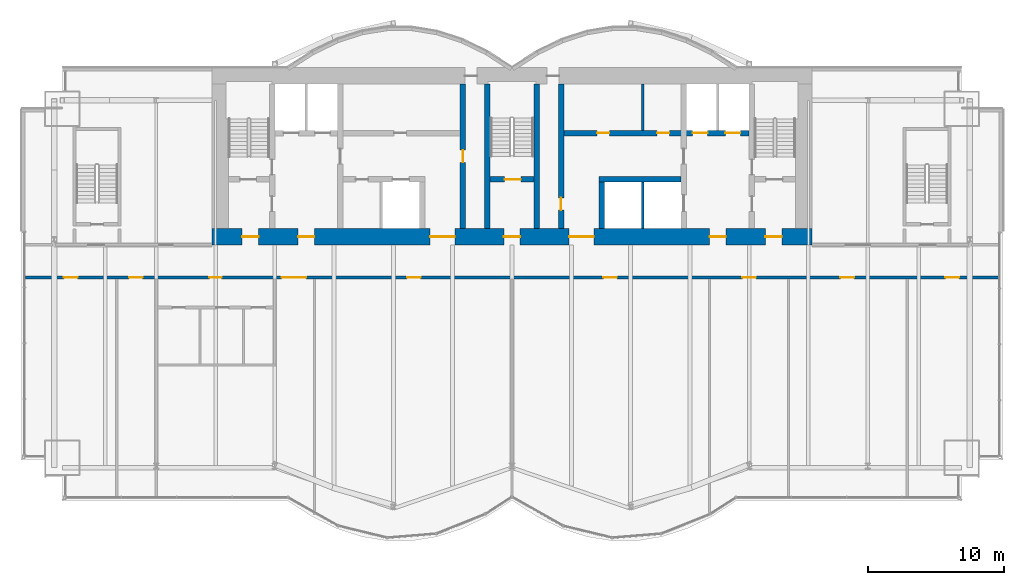
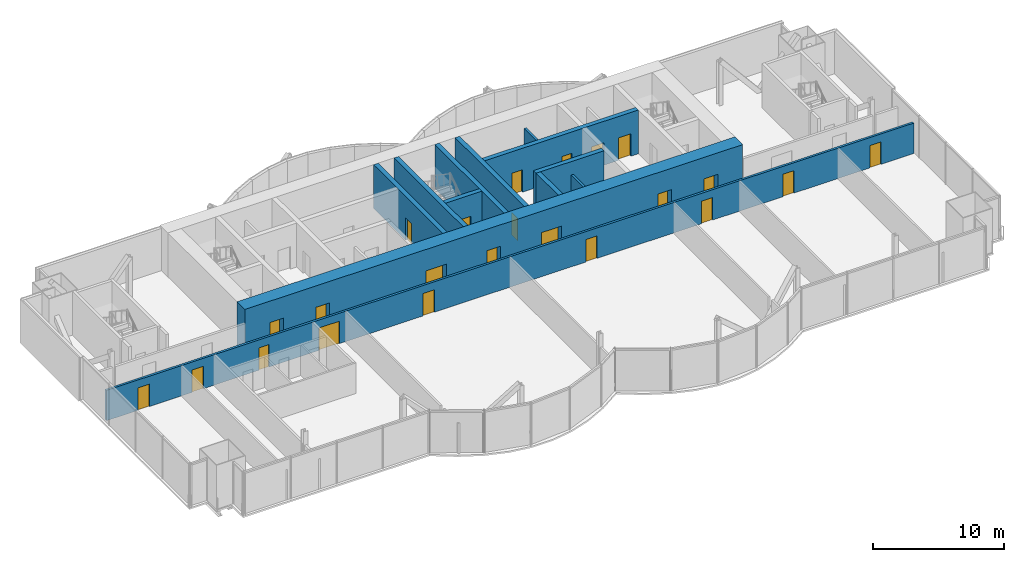
# One storey, part 15 of 20: 23 doors, 12 walls, 23 openings.
"""IFC4 building model written with IfcOpenShell, lengths in metres."""

from ifc_helpers import new_model, si_unit, direction, frame, frame_2d, origin, place, context, subcontext, project, spatial, rectangle, extrude, material, layer, layer_set, type_object, element, fill, save


model = new_model("IFC4")

# Units and contexts
model_context = context("Model", 3, precision=1e-05, world=origin(), true_north=direction((0.0, 1.0)))
body_context = subcontext(model_context, "Body", "Model", "MODEL_VIEW")
ifc_project = project(units=[si_unit("LENGTHUNIT", "METRE"), si_unit("AREAUNIT", "SQUARE_METRE"), si_unit("VOLUMEUNIT", "CUBIC_METRE"), si_unit("PLANEANGLEUNIT", "RADIAN"), si_unit("MASSUNIT", "GRAM", prefix="KILO")], contexts=[model_context])

# Site, building, storey
site_placement = place(None, origin())
site = spatial("IfcSite", under=ifc_project, at=site_placement, CompositionType="ELEMENT")
building_placement = place(site_placement, origin())
building = spatial("IfcBuilding", under=site, at=building_placement, Name="Bicima Exchange Tower", CompositionType="ELEMENT")
storey_placement = place(building_placement, frame((0.0, 0.0, 215.5)))
storey = spatial("IfcBuildingStorey", under=building, at=storey_placement, Name="L48", CompositionType="ELEMENT", Elevation=215.5)

# Wall
ifc_material_1 = material(Name="Gypsum board partition")
ifc_layer_1 = layer(ifc_material_1, 0.199951171875)
ifc_layer_set_1 = layer_set([ifc_layer_1], Name="Gypsum board partition")
wall_type_1 = type_object("IfcWallType", Name="Fire-rated gypsum partition 200 EI120", PredefinedType="PARTITIONING", material=ifc_layer_set_1)
wall_1_placement = place(storey_placement, frame((9.60009765625, -11.800048828125, 0.0), z_axis=(0.0, 0.0, 1.0), x_axis=(0.0, 1.0, 0.0)))
element("IfcWall", 1, at=wall_1_placement, inside=storey, type_object=wall_type_1, Name="partition wall 18", PredefinedType="PARTITIONING", context=body_context, shape_type="SweptSolid", body=[
    extrude(rectangle(XDim=3.400146484375, YDim=0.199951171875, at=frame_2d((1.7001953125, 0.0))), origin(), (0.0, 0.0, 1.0), 2.84033203125),
])

# Wall, openings, doors
ifc_layer_2 = layer(ifc_material_1, 0.199951171875)
ifc_layer_set_2 = layer_set([ifc_layer_2], Name="Gypsum board partition")
wall_type_2 = type_object("IfcWallType", Name="Fire-rated gypsum partition 200 EI60", PredefinedType="PARTITIONING", material=ifc_layer_set_2)
wall_2_placement = place(storey_placement, frame((-35.679931640625, -15.39990234375, 0.0), z_axis=(0.0, 0.0, 1.0), x_axis=(1.0, 0.0, 0.0)))
wall_2 = element("IfcWall", 2, at=wall_2_placement, inside=storey, type_object=wall_type_2, Name="partition wall 3", PredefinedType="PARTITIONING", context=body_context, shape_type="SweptSolid", body=[
    extrude(rectangle(XDim=71.35986328125, YDim=0.199951171875, at=frame_2d((35.679931640625, 0.0))), origin(), (0.0, 0.0, 1.0), 2.84033203125),
])
opening_1_placement = place(wall_2_placement, frame((2.800048828125, 0.0, 0.0)))
opening_1 = element("IfcOpeningElement", 3, at=opening_1_placement, cuts=wall_2, Name="Opening L48-007", PredefinedType="OPENING", context=body_context, shape_type="SweptSolid", body=[
    extrude(rectangle(XDim=1.0, YDim=2.10009765625, at=frame_2d((0.5, 1.050048828125))), frame((0.0, 0.11181640625, 0.0), z_axis=(0.0, -1.0, 0.0), x_axis=(1.0, 0.0, 0.0)), (0.0, 0.0, 1.0), 0.223876953125),
])
opening_2_placement = place(wall_2_placement, frame((7.580078125, 0.0, 0.0)))
opening_2 = element("IfcOpeningElement", 4, at=opening_2_placement, cuts=wall_2, Name="Opening L48-008", PredefinedType="OPENING", context=body_context, shape_type="SweptSolid", body=[
    extrude(rectangle(XDim=1.0, YDim=2.10009765625, at=frame_2d((0.5, 1.050048828125))), frame((0.0, 0.11181640625, 0.0), z_axis=(0.0, -1.0, 0.0), x_axis=(1.0, 0.0, 0.0)), (0.0, 0.0, 1.0), 0.223876953125),
])
opening_3_placement = place(wall_2_placement, frame((13.47998046875, 0.0, 0.0)))
opening_3 = element("IfcOpeningElement", 5, at=opening_3_placement, cuts=wall_2, Name="Opening L48-009", PredefinedType="OPENING", context=body_context, shape_type="SweptSolid", body=[
    extrude(rectangle(XDim=0.89990234375, YDim=2.10009765625, at=frame_2d((0.449951171875, 1.050048828125))), frame((0.0, 0.11181640625, 0.0), z_axis=(0.0, -1.0, 0.0), x_axis=(1.0, 0.0, 0.0)), (0.0, 0.0, 1.0), 0.223876953125),
])
opening_4_placement = place(wall_2_placement, frame((18.780029296875, 0.0, 0.0)))
opening_4 = element("IfcOpeningElement", 6, at=opening_4_placement, cuts=wall_2, Name="Opening L48-013", PredefinedType="OPENING", context=body_context, shape_type="SweptSolid", body=[
    extrude(rectangle(XDim=1.800048828125, YDim=2.10009765625, at=frame_2d((0.89990234375, 1.050048828125))), frame((0.0, 0.11181640625, 0.0), z_axis=(0.0, -1.0, 0.0), x_axis=(1.0, 0.0, 0.0)), (0.0, 0.0, 1.0), 0.223876953125),
])
opening_5_placement = place(wall_2_placement, frame((27.97998046875, 0.0, 0.0)))
opening_5 = element("IfcOpeningElement", 7, at=opening_5_placement, cuts=wall_2, Name="Opening L48-014", PredefinedType="OPENING", context=body_context, shape_type="SweptSolid", body=[
    extrude(rectangle(XDim=1.0, YDim=2.10009765625, at=frame_2d((0.5, 1.050048828125))), frame((0.0, 0.11181640625, 0.0), z_axis=(0.0, -1.0, 0.0), x_axis=(1.0, 0.0, 0.0)), (0.0, 0.0, 1.0), 0.223876953125),
])
opening_6_placement = place(wall_2_placement, frame((42.3798828125, 0.0, 0.0)))
opening_6 = element("IfcOpeningElement", 8, at=opening_6_placement, cuts=wall_2, Name="Opening L48-015", PredefinedType="OPENING", context=body_context, shape_type="SweptSolid", body=[
    extrude(rectangle(XDim=1.0, YDim=2.10009765625, at=frame_2d((0.5, 1.050048828125))), frame((0.0, 0.11181640625, 0.0), z_axis=(0.0, -1.0, 0.0), x_axis=(1.0, 0.0, 0.0)), (0.0, 0.0, 1.0), 0.223876953125),
])
opening_7_placement = place(wall_2_placement, frame((52.580078125, 0.0, 0.0)))
opening_7 = element("IfcOpeningElement", 9, at=opening_7_placement, cuts=wall_2, Name="Opening L48-016", PredefinedType="OPENING", context=body_context, shape_type="SweptSolid", body=[
    extrude(rectangle(XDim=1.0, YDim=2.10009765625, at=frame_2d((0.5, 1.050048828125))), frame((0.0, 0.11181640625, 0.0), z_axis=(0.0, -1.0, 0.0), x_axis=(1.0, 0.0, 0.0)), (0.0, 0.0, 1.0), 0.223876953125),
])
opening_8_placement = place(wall_2_placement, frame((59.780029296875, 0.0, 0.0)))
opening_8 = element("IfcOpeningElement", 10, at=opening_8_placement, cuts=wall_2, Name="Opening L48-017", PredefinedType="OPENING", context=body_context, shape_type="SweptSolid", body=[
    extrude(rectangle(XDim=1.0, YDim=2.10009765625, at=frame_2d((0.5, 1.050048828125))), frame((0.0, 0.11181640625, 0.0), z_axis=(0.0, -1.0, 0.0), x_axis=(1.0, 0.0, 0.0)), (0.0, 0.0, 1.0), 0.223876953125),
])
opening_9_placement = place(wall_2_placement, frame((67.47998046875, 0.0, 0.0)))
opening_9 = element("IfcOpeningElement", 11, at=opening_9_placement, cuts=wall_2, Name="Opening L48-018", PredefinedType="OPENING", context=body_context, shape_type="SweptSolid", body=[
    extrude(rectangle(XDim=1.0, YDim=2.10009765625, at=frame_2d((0.5, 1.050048828125))), frame((0.0, 0.11181640625, 0.0), z_axis=(0.0, -1.0, 0.0), x_axis=(1.0, 0.0, 0.0)), (0.0, 0.0, 1.0), 0.223876953125),
])
ifc_material_2 = material(Name="Steel fire door leaf", Category="steel")
door_type_1 = type_object("IfcDoorType", Name="Door 1000 swing FD30S", OperationType="SINGLE_SWING_LEFT", PredefinedType="DOOR", material=ifc_material_2)
door_1_placement = place(opening_1_placement, frame((1.0, 0.0, 0.0), z_axis=(0.0, 0.0, 1.0), x_axis=(-1.0, 0.0, 0.0)))
door_1 = element("IfcDoor", 12, at=door_1_placement, inside=storey, type_object=door_type_1, Name="Door", OperationType="SINGLE_SWING_LEFT", OverallHeight=2.10009765625, OverallWidth=1.0, PredefinedType="DOOR", context=body_context, shape_type="SweptSolid", body=[
    extrude(rectangle(XDim=1.0, YDim=2.10009765625, at=frame_2d((0.5, 1.050048828125))), frame((0.0, 0.02490234375, 0.0), z_axis=(0.0, -1.0, 0.0), x_axis=(1.0, 0.0, 0.0)), (0.0, 0.0, 1.0), 0.050048828125),
])
fill(opening_1, door_1)
door_2_placement = place(opening_2_placement, frame((1.0, 0.0, 0.0), z_axis=(0.0, 0.0, 1.0), x_axis=(-1.0, 0.0, 0.0)))
door_2 = element("IfcDoor", 13, at=door_2_placement, inside=storey, type_object=door_type_1, Name="Door", OperationType="SINGLE_SWING_RIGHT", OverallHeight=2.10009765625, OverallWidth=1.0, PredefinedType="DOOR", context=body_context, shape_type="SweptSolid", body=[
    extrude(rectangle(XDim=1.0, YDim=2.10009765625, at=frame_2d((0.5, 1.050048828125))), frame((0.0, 0.02490234375, 0.0), z_axis=(0.0, -1.0, 0.0), x_axis=(1.0, 0.0, 0.0)), (0.0, 0.0, 1.0), 0.050048828125),
])
fill(opening_2, door_2)
door_3_placement = place(opening_5_placement, frame((1.0, 0.0, 0.0), z_axis=(0.0, 0.0, 1.0), x_axis=(-1.0, 0.0, 0.0)))
door_3 = element("IfcDoor", 14, at=door_3_placement, inside=storey, type_object=door_type_1, Name="Door", OperationType="SINGLE_SWING_RIGHT", OverallHeight=2.10009765625, OverallWidth=1.0, PredefinedType="DOOR", context=body_context, shape_type="SweptSolid", body=[
    extrude(rectangle(XDim=1.0, YDim=2.10009765625, at=frame_2d((0.5, 1.050048828125))), frame((0.0, 0.02490234375, 0.0), z_axis=(0.0, -1.0, 0.0), x_axis=(1.0, 0.0, 0.0)), (0.0, 0.0, 1.0), 0.050048828125),
])
fill(opening_5, door_3)
door_4_placement = place(opening_6_placement, frame((1.0, 0.0, 0.0), z_axis=(0.0, 0.0, 1.0), x_axis=(-1.0, 0.0, 0.0)))
door_4 = element("IfcDoor", 15, at=door_4_placement, inside=storey, type_object=door_type_1, Name="Door", OperationType="SINGLE_SWING_RIGHT", OverallHeight=2.10009765625, OverallWidth=1.0, PredefinedType="DOOR", context=body_context, shape_type="SweptSolid", body=[
    extrude(rectangle(XDim=1.0, YDim=2.10009765625, at=frame_2d((0.5, 1.050048828125))), frame((0.0, 0.02490234375, 0.0), z_axis=(0.0, -1.0, 0.0), x_axis=(1.0, 0.0, 0.0)), (0.0, 0.0, 1.0), 0.050048828125),
])
fill(opening_6, door_4)
door_5_placement = place(opening_7_placement, frame((1.0, 0.0, 0.0), z_axis=(0.0, 0.0, 1.0), x_axis=(-1.0, 0.0, 0.0)))
door_5 = element("IfcDoor", 16, at=door_5_placement, inside=storey, type_object=door_type_1, Name="Door", OperationType="SINGLE_SWING_LEFT", OverallHeight=2.10009765625, OverallWidth=1.0, PredefinedType="DOOR", context=body_context, shape_type="SweptSolid", body=[
    extrude(rectangle(XDim=1.0, YDim=2.10009765625, at=frame_2d((0.5, 1.050048828125))), frame((0.0, 0.02490234375, 0.0), z_axis=(0.0, -1.0, 0.0), x_axis=(1.0, 0.0, 0.0)), (0.0, 0.0, 1.0), 0.050048828125),
])
fill(opening_7, door_5)
door_6_placement = place(opening_8_placement, frame((1.0, 0.0, 0.0), z_axis=(0.0, 0.0, 1.0), x_axis=(-1.0, 0.0, 0.0)))
door_6 = element("IfcDoor", 17, at=door_6_placement, inside=storey, type_object=door_type_1, Name="Door", OperationType="SINGLE_SWING_RIGHT", OverallHeight=2.10009765625, OverallWidth=1.0, PredefinedType="DOOR", context=body_context, shape_type="SweptSolid", body=[
    extrude(rectangle(XDim=1.0, YDim=2.10009765625, at=frame_2d((0.5, 1.050048828125))), frame((0.0, 0.02490234375, 0.0), z_axis=(0.0, -1.0, 0.0), x_axis=(1.0, 0.0, 0.0)), (0.0, 0.0, 1.0), 0.050048828125),
])
fill(opening_8, door_6)
door_7_placement = place(opening_9_placement, frame((1.0, 0.0, 0.0), z_axis=(0.0, 0.0, 1.0), x_axis=(-1.0, 0.0, 0.0)))
door_7 = element("IfcDoor", 18, at=door_7_placement, inside=storey, type_object=door_type_1, Name="Door", OperationType="SINGLE_SWING_RIGHT", OverallHeight=2.10009765625, OverallWidth=1.0, PredefinedType="DOOR", context=body_context, shape_type="SweptSolid", body=[
    extrude(rectangle(XDim=1.0, YDim=2.10009765625, at=frame_2d((0.5, 1.050048828125))), frame((0.0, 0.02490234375, 0.0), z_axis=(0.0, -1.0, 0.0), x_axis=(1.0, 0.0, 0.0)), (0.0, 0.0, 1.0), 0.050048828125),
])
fill(opening_9, door_7)
door_type_2 = type_object("IfcDoorType", Name="Door 1800 double swing FD30S", OperationType="DOUBLE_DOOR_SINGLE_SWING", PredefinedType="DOOR", material=ifc_material_2)
door_8_placement = place(opening_4_placement, origin())
door_8 = element("IfcDoor", 19, at=door_8_placement, inside=storey, type_object=door_type_2, Name="Door", OperationType="SINGLE_SWING_LEFT", OverallHeight=2.10009765625, OverallWidth=1.800048828125, PredefinedType="DOOR", context=body_context, shape_type="SweptSolid", body=[
    extrude(rectangle(XDim=1.800048828125, YDim=2.10009765625, at=frame_2d((0.89990234375, 1.050048828125))), frame((0.0, 0.02490234375, 0.0), z_axis=(0.0, -1.0, 0.0), x_axis=(1.0, 0.0, 0.0)), (0.0, 0.0, 1.0), 0.050048828125),
])
fill(opening_4, door_8)
door_type_3 = type_object("IfcDoorType", Name="Door 900 swing FD30S", OperationType="SINGLE_SWING_LEFT", PredefinedType="DOOR", material=ifc_material_2)
door_9_placement = place(opening_3_placement, frame((0.89990234375, 0.0, 0.0), z_axis=(0.0, 0.0, 1.0), x_axis=(-1.0, 0.0, 0.0)))
door_9 = element("IfcDoor", 20, at=door_9_placement, inside=storey, type_object=door_type_3, Name="Door", OperationType="SINGLE_SWING_RIGHT", OverallHeight=2.10009765625, OverallWidth=0.89990234375, PredefinedType="DOOR", context=body_context, shape_type="SweptSolid", body=[
    extrude(rectangle(XDim=0.89990234375, YDim=2.10009765625, at=frame_2d((0.449951171875, 1.050048828125))), frame((0.0, 0.02490234375, 0.0), z_axis=(0.0, -1.0, 0.0), x_axis=(1.0, 0.0, 0.0)), (0.0, 0.0, 1.0), 0.050048828125),
])
fill(opening_3, door_9)

# Wall
wall_3_placement = place(storey_placement, frame((9.60009765625, -4.60009765625, 0.0), z_axis=(0.0, 0.0, 1.0), x_axis=(0.0, 1.0, 0.0)))
element("IfcWall", 21, at=wall_3_placement, inside=storey, type_object=wall_type_2, Name="partition wall 19", PredefinedType="PARTITIONING", context=body_context, shape_type="SweptSolid", body=[
    extrude(rectangle(XDim=3.400146484375, YDim=0.199951171875, at=frame_2d((1.7001953125, 0.0))), origin(), (0.0, 0.0, 1.0), 2.84033203125),
])

# Wall, openings, doors
ifc_material_3 = material(Name="Concrete C50/60", Category="concrete")
ifc_layer_3 = layer(ifc_material_3, 1.199951171875)
ifc_layer_set_3 = layer_set([ifc_layer_3], Name="Concrete C50/60")
wall_type_3 = type_object("IfcWallType", Name="RC core wall 1200 C50/60", PredefinedType="SHEAR", material=ifc_layer_set_3)
wall_4_placement = place(storey_placement, frame((-22.0, -12.39990234375, 0.0), z_axis=(0.0, 0.0, 1.0), x_axis=(1.0, 0.0, 0.0)))
wall_4 = element("IfcWall", 22, at=wall_4_placement, inside=storey, type_object=wall_type_3, Name="Core wall south", PredefinedType="SHEAR", context=body_context, shape_type="SweptSolid", body=[
    extrude(rectangle(XDim=44.0, YDim=1.199951171875, at=frame_2d((22.0, 0.0))), origin(), (0.0, 0.0, 1.0), 4.10009765625),
])
opening_10_placement = place(wall_4_placement, frame((2.199951171875, 0.0, 0.0)))
opening_10 = element("IfcOpeningElement", 23, at=opening_10_placement, cuts=wall_4, Name="Opening L48-C18", PredefinedType="OPENING", context=body_context, shape_type="SweptSolid", body=[
    extrude(rectangle(XDim=1.199951171875, YDim=2.10009765625, at=frame_2d((0.60009765625, 1.050048828125))), frame((0.0, 0.61181640625, 0.0), z_axis=(0.0, -1.0, 0.0), x_axis=(1.0, 0.0, 0.0)), (0.0, 0.0, 1.0), 1.223876953125),
])
opening_11_placement = place(wall_4_placement, frame((21.39990234375, 0.0, 0.0)))
opening_11 = element("IfcOpeningElement", 24, at=opening_11_placement, cuts=wall_4, Name="Opening L48-C19", PredefinedType="OPENING", context=body_context, shape_type="SweptSolid", body=[
    extrude(rectangle(XDim=1.199951171875, YDim=2.10009765625, at=frame_2d((0.60009765625, 1.050048828125))), frame((0.0, 0.61181640625, 0.0), z_axis=(0.0, -1.0, 0.0), x_axis=(1.0, 0.0, 0.0)), (0.0, 0.0, 1.0), 1.223876953125),
])
opening_12_placement = place(wall_4_placement, frame((40.60009765625, 0.0, 0.0)))
opening_12 = element("IfcOpeningElement", 25, at=opening_12_placement, cuts=wall_4, Name="Opening L48-C20", PredefinedType="OPENING", context=body_context, shape_type="SweptSolid", body=[
    extrude(rectangle(XDim=1.199951171875, YDim=2.10009765625, at=frame_2d((0.60009765625, 1.050048828125))), frame((0.0, 0.61181640625, 0.0), z_axis=(0.0, -1.0, 0.0), x_axis=(1.0, 0.0, 0.0)), (0.0, 0.0, 1.0), 1.223876953125),
])
opening_13_placement = place(wall_4_placement, frame((16.0, 0.0, 0.0)))
opening_13 = element("IfcOpeningElement", 26, at=opening_13_placement, cuts=wall_4, Name="Opening L48-C21", PredefinedType="OPENING", context=body_context, shape_type="SweptSolid", body=[
    extrude(rectangle(XDim=1.800048828125, YDim=2.10009765625, at=frame_2d((0.89990234375, 1.050048828125))), frame((0.0, 0.61181640625, 0.0), z_axis=(0.0, -1.0, 0.0), x_axis=(1.0, 0.0, 0.0)), (0.0, 0.0, 1.0), 1.223876953125),
])
opening_14_placement = place(wall_4_placement, frame((6.300048828125, 0.0, 0.0)))
opening_14 = element("IfcOpeningElement", 27, at=opening_14_placement, cuts=wall_4, Name="Opening L48-C22", PredefinedType="OPENING", context=body_context, shape_type="SweptSolid", body=[
    extrude(rectangle(XDim=1.199951171875, YDim=2.10009765625, at=frame_2d((0.60009765625, 1.050048828125))), frame((0.0, 0.61181640625, 0.0), z_axis=(0.0, -1.0, 0.0), x_axis=(1.0, 0.0, 0.0)), (0.0, 0.0, 1.0), 1.223876953125),
])
opening_15_placement = place(wall_4_placement, frame((26.199951171875, 0.0, 0.0)))
opening_15 = element("IfcOpeningElement", 28, at=opening_15_placement, cuts=wall_4, Name="Opening L48-C23", PredefinedType="OPENING", context=body_context, shape_type="SweptSolid", body=[
    extrude(rectangle(XDim=1.800048828125, YDim=2.10009765625, at=frame_2d((0.89990234375, 1.050048828125))), frame((0.0, 0.61181640625, 0.0), z_axis=(0.0, -1.0, 0.0), x_axis=(1.0, 0.0, 0.0)), (0.0, 0.0, 1.0), 1.223876953125),
])
opening_16_placement = place(wall_4_placement, frame((36.5, 0.0, 0.0)))
opening_16 = element("IfcOpeningElement", 29, at=opening_16_placement, cuts=wall_4, Name="Opening L48-C24", PredefinedType="OPENING", context=body_context, shape_type="SweptSolid", body=[
    extrude(rectangle(XDim=1.199951171875, YDim=2.10009765625, at=frame_2d((0.60009765625, 1.050048828125))), frame((0.0, 0.61181640625, 0.0), z_axis=(0.0, -1.0, 0.0), x_axis=(1.0, 0.0, 0.0)), (0.0, 0.0, 1.0), 1.223876953125),
])
door_type_4 = type_object("IfcDoorType", Name="Door 1200 swing FD60S", OperationType="SINGLE_SWING_LEFT", PredefinedType="DOOR", material=ifc_material_2)
door_10_placement = place(opening_10_placement, frame((1.199951171875, 0.0, 0.0), z_axis=(0.0, 0.0, 1.0), x_axis=(-1.0, 0.0, 0.0)))
door_10 = element("IfcDoor", 30, at=door_10_placement, inside=storey, type_object=door_type_4, Name="Core door", OperationType="SINGLE_SWING_RIGHT", OverallHeight=2.10009765625, OverallWidth=1.199951171875, PredefinedType="DOOR", context=body_context, shape_type="SweptSolid", body=[
    extrude(rectangle(XDim=1.199951171875, YDim=2.10009765625, at=frame_2d((0.60009765625, 1.050048828125))), frame((0.0, 0.02490234375, 0.0), z_axis=(0.0, -1.0, 0.0), x_axis=(1.0, 0.0, 0.0)), (0.0, 0.0, 1.0), 0.050048828125),
])
fill(opening_10, door_10)
door_11_placement = place(opening_11_placement, frame((1.199951171875, 0.0, 0.0), z_axis=(0.0, 0.0, 1.0), x_axis=(-1.0, 0.0, 0.0)))
door_11 = element("IfcDoor", 31, at=door_11_placement, inside=storey, type_object=door_type_4, Name="Core door", OperationType="SINGLE_SWING_RIGHT", OverallHeight=2.10009765625, OverallWidth=1.199951171875, PredefinedType="DOOR", context=body_context, shape_type="SweptSolid", body=[
    extrude(rectangle(XDim=1.199951171875, YDim=2.10009765625, at=frame_2d((0.60009765625, 1.050048828125))), frame((0.0, 0.02490234375, 0.0), z_axis=(0.0, -1.0, 0.0), x_axis=(1.0, 0.0, 0.0)), (0.0, 0.0, 1.0), 0.050048828125),
])
fill(opening_11, door_11)
door_12_placement = place(opening_12_placement, frame((1.199951171875, 0.0, 0.0), z_axis=(0.0, 0.0, 1.0), x_axis=(-1.0, 0.0, 0.0)))
door_12 = element("IfcDoor", 32, at=door_12_placement, inside=storey, type_object=door_type_4, Name="Core door", OperationType="SINGLE_SWING_RIGHT", OverallHeight=2.10009765625, OverallWidth=1.199951171875, PredefinedType="DOOR", context=body_context, shape_type="SweptSolid", body=[
    extrude(rectangle(XDim=1.199951171875, YDim=2.10009765625, at=frame_2d((0.60009765625, 1.050048828125))), frame((0.0, 0.02490234375, 0.0), z_axis=(0.0, -1.0, 0.0), x_axis=(1.0, 0.0, 0.0)), (0.0, 0.0, 1.0), 0.050048828125),
])
fill(opening_12, door_12)
door_13_placement = place(opening_14_placement, frame((1.199951171875, 0.0, 0.0), z_axis=(0.0, 0.0, 1.0), x_axis=(-1.0, 0.0, 0.0)))
door_13 = element("IfcDoor", 33, at=door_13_placement, inside=storey, type_object=door_type_4, Name="Core door", OperationType="SINGLE_SWING_RIGHT", OverallHeight=2.10009765625, OverallWidth=1.199951171875, PredefinedType="DOOR", context=body_context, shape_type="SweptSolid", body=[
    extrude(rectangle(XDim=1.199951171875, YDim=2.10009765625, at=frame_2d((0.60009765625, 1.050048828125))), frame((0.0, 0.02490234375, 0.0), z_axis=(0.0, -1.0, 0.0), x_axis=(1.0, 0.0, 0.0)), (0.0, 0.0, 1.0), 0.050048828125),
])
fill(opening_14, door_13)
door_14_placement = place(opening_16_placement, frame((1.199951171875, 0.0, 0.0), z_axis=(0.0, 0.0, 1.0), x_axis=(-1.0, 0.0, 0.0)))
door_14 = element("IfcDoor", 34, at=door_14_placement, inside=storey, type_object=door_type_4, Name="Core door", OperationType="SINGLE_SWING_RIGHT", OverallHeight=2.10009765625, OverallWidth=1.199951171875, PredefinedType="DOOR", context=body_context, shape_type="SweptSolid", body=[
    extrude(rectangle(XDim=1.199951171875, YDim=2.10009765625, at=frame_2d((0.60009765625, 1.050048828125))), frame((0.0, 0.02490234375, 0.0), z_axis=(0.0, -1.0, 0.0), x_axis=(1.0, 0.0, 0.0)), (0.0, 0.0, 1.0), 0.050048828125),
])
fill(opening_16, door_14)
door_15_placement = place(opening_13_placement, origin())
door_15 = element("IfcDoor", 35, at=door_15_placement, inside=storey, type_object=door_type_2, Name="Core door", OperationType="SINGLE_SWING_LEFT", OverallHeight=2.10009765625, OverallWidth=1.800048828125, PredefinedType="DOOR", context=body_context, shape_type="SweptSolid", body=[
    extrude(rectangle(XDim=1.800048828125, YDim=2.10009765625, at=frame_2d((0.89990234375, 1.050048828125))), frame((0.0, 0.02490234375, 0.0), z_axis=(0.0, -1.0, 0.0), x_axis=(1.0, 0.0, 0.0)), (0.0, 0.0, 1.0), 0.050048828125),
])
fill(opening_13, door_15)
door_16_placement = place(opening_15_placement, origin())
door_16 = element("IfcDoor", 36, at=door_16_placement, inside=storey, type_object=door_type_2, Name="Core door", OperationType="SINGLE_SWING_LEFT", OverallHeight=2.10009765625, OverallWidth=1.800048828125, PredefinedType="DOOR", context=body_context, shape_type="SweptSolid", body=[
    extrude(rectangle(XDim=1.800048828125, YDim=2.10009765625, at=frame_2d((0.89990234375, 1.050048828125))), frame((0.0, 0.02490234375, 0.0), z_axis=(0.0, -1.0, 0.0), x_axis=(1.0, 0.0, 0.0)), (0.0, 0.0, 1.0), 0.050048828125),
])
fill(opening_15, door_16)

# Wall, opening, door
ifc_layer_4 = layer(ifc_material_3, 0.39990234375)
ifc_layer_set_4 = layer_set([ifc_layer_4], Name="Concrete C50/60")
wall_type_4 = type_object("IfcWallType", Name="RC core wall 400 C50/60", PredefinedType="SHEAR", material=ifc_layer_set_4)
wall_5_placement = place(storey_placement, frame((-1.60009765625, -8.199951171875, 0.0), z_axis=(0.0, 0.0, 1.0), x_axis=(1.0, 0.0, 0.0)))
wall_5 = element("IfcWall", 37, at=wall_5_placement, inside=storey, type_object=wall_type_4, Name="stair wall 3", PredefinedType="SHEAR", context=body_context, shape_type="SweptSolid", body=[
    extrude(rectangle(XDim=3.2001953125, YDim=0.39990234375, at=frame_2d((1.60009765625, 0.0))), origin(), (0.0, 0.0, 1.0), 4.10009765625),
])
opening_17_placement = place(wall_5_placement, frame((1.050048828125, 0.0, 0.0)))
opening_17 = element("IfcOpeningElement", 38, at=opening_17_placement, cuts=wall_5, Name="Opening L48-C03", PredefinedType="OPENING", context=body_context, shape_type="SweptSolid", body=[
    extrude(rectangle(XDim=1.199951171875, YDim=2.10009765625, at=frame_2d((0.60009765625, 1.050048828125))), frame((0.0, 0.2119140625, 0.0), z_axis=(0.0, -1.0, 0.0), x_axis=(1.0, 0.0, 0.0)), (0.0, 0.0, 1.0), 0.423828125),
])
door_17_placement = place(opening_17_placement, origin())
door_17 = element("IfcDoor", 39, at=door_17_placement, inside=storey, type_object=door_type_4, Name="Core door", OperationType="SINGLE_SWING_LEFT", OverallHeight=2.10009765625, OverallWidth=1.199951171875, PredefinedType="DOOR", context=body_context, shape_type="SweptSolid", body=[
    extrude(rectangle(XDim=1.199951171875, YDim=2.10009765625, at=frame_2d((0.60009765625, 1.050048828125))), frame((0.0, 0.02490234375, 0.0), z_axis=(0.0, -1.0, 0.0), x_axis=(1.0, 0.0, 0.0)), (0.0, 0.0, 1.0), 0.050048828125),
])
fill(opening_17, door_17)

# Wall
wall_6_placement = place(storey_placement, frame((6.39990234375, -8.199951171875, 0.0), z_axis=(0.0, 0.0, 1.0), x_axis=(1.0, 0.0, 0.0)))
element("IfcWall", 40, at=wall_6_placement, inside=storey, type_object=wall_type_4, Name="shear wall 4", PredefinedType="SHEAR", context=body_context, shape_type="SweptSolid", body=[
    extrude(rectangle(XDim=6.0, YDim=0.39990234375, at=frame_2d((3.0, 0.0))), origin(), (0.0, 0.0, 1.0), 4.10009765625),
])

# Wall, openings, doors
wall_7_placement = place(storey_placement, frame((3.800048828125, -4.800048828125, 0.0), z_axis=(0.0, 0.0, 1.0), x_axis=(1.0, 0.0, 0.0)))
wall_7 = element("IfcWall", 41, at=wall_7_placement, inside=storey, type_object=wall_type_4, Name="shear wall 7", PredefinedType="SHEAR", context=body_context, shape_type="SweptSolid", body=[
    extrude(rectangle(XDim=13.599853515625, YDim=0.39990234375, at=frame_2d((6.7998046875, 0.0))), origin(), (0.0, 0.0, 1.0), 4.10009765625),
])
opening_18_placement = place(wall_7_placement, frame((9.449951171875, 0.0, 0.0)))
opening_18 = element("IfcOpeningElement", 42, at=opening_18_placement, cuts=wall_7, Name="Opening LD-FF2-L48", PredefinedType="OPENING", context=body_context, shape_type="SweptSolid", body=[
    extrude(rectangle(XDim=1.10009765625, YDim=2.10009765625, at=frame_2d((0.550048828125, 1.050048828125))), frame((0.0, 0.2119140625, 0.0), z_axis=(0.0, -1.0, 0.0), x_axis=(1.0, 0.0, 0.0)), (0.0, 0.0, 1.0), 0.423828125),
])
opening_19_placement = place(wall_7_placement, frame((11.85009765625, 0.0, 0.0)))
opening_19 = element("IfcOpeningElement", 43, at=opening_19_placement, cuts=wall_7, Name="Opening LD-SV1-L48", PredefinedType="OPENING", context=body_context, shape_type="SweptSolid", body=[
    extrude(rectangle(XDim=1.10009765625, YDim=2.10009765625, at=frame_2d((0.550048828125, 1.050048828125))), frame((0.0, 0.2119140625, 0.0), z_axis=(0.0, -1.0, 0.0), x_axis=(1.0, 0.0, 0.0)), (0.0, 0.0, 1.0), 0.423828125),
])
opening_20_placement = place(wall_7_placement, frame((2.449951171875, 0.0, 0.0)))
opening_20 = element("IfcOpeningElement", 44, at=opening_20_placement, cuts=wall_7, Name="Opening L48-C13", PredefinedType="OPENING", context=body_context, shape_type="SweptSolid", body=[
    extrude(rectangle(XDim=0.89990234375, YDim=2.10009765625, at=frame_2d((0.449951171875, 1.050048828125))), frame((0.0, 0.2119140625, 0.0), z_axis=(0.0, -1.0, 0.0), x_axis=(1.0, 0.0, 0.0)), (0.0, 0.0, 1.0), 0.423828125),
])
opening_21_placement = place(wall_7_placement, frame((6.85009765625, 0.0, 0.0)))
opening_21 = element("IfcOpeningElement", 45, at=opening_21_placement, cuts=wall_7, Name="Opening L48-C14", PredefinedType="OPENING", context=body_context, shape_type="SweptSolid", body=[
    extrude(rectangle(XDim=0.89990234375, YDim=2.10009765625, at=frame_2d((0.449951171875, 1.050048828125))), frame((0.0, 0.2119140625, 0.0), z_axis=(0.0, -1.0, 0.0), x_axis=(1.0, 0.0, 0.0)), (0.0, 0.0, 1.0), 0.423828125),
])
door_18_placement = place(opening_20_placement, origin())
door_18 = element("IfcDoor", 46, at=door_18_placement, inside=storey, type_object=door_type_3, Name="Core door", OperationType="SINGLE_SWING_LEFT", OverallHeight=2.10009765625, OverallWidth=0.89990234375, PredefinedType="DOOR", context=body_context, shape_type="SweptSolid", body=[
    extrude(rectangle(XDim=0.89990234375, YDim=2.10009765625, at=frame_2d((0.449951171875, 1.050048828125))), frame((0.0, 0.02490234375, 0.0), z_axis=(0.0, -1.0, 0.0), x_axis=(1.0, 0.0, 0.0)), (0.0, 0.0, 1.0), 0.050048828125),
])
fill(opening_20, door_18)
door_19_placement = place(opening_21_placement, origin())
door_19 = element("IfcDoor", 47, at=door_19_placement, inside=storey, type_object=door_type_3, Name="Core door", OperationType="SINGLE_SWING_RIGHT", OverallHeight=2.10009765625, OverallWidth=0.89990234375, PredefinedType="DOOR", context=body_context, shape_type="SweptSolid", body=[
    extrude(rectangle(XDim=0.89990234375, YDim=2.10009765625, at=frame_2d((0.449951171875, 1.050048828125))), frame((0.0, 0.02490234375, 0.0), z_axis=(0.0, -1.0, 0.0), x_axis=(1.0, 0.0, 0.0)), (0.0, 0.0, 1.0), 0.050048828125),
])
fill(opening_21, door_19)
ifc_material_4 = material(Name="Stainless steel", Category="steel")
door_type_5 = type_object("IfcDoorType", Name="Lift landing door 1100 sliding", OperationType="DOUBLE_DOOR_SLIDING", PredefinedType="DOOR", material=ifc_material_4)
door_20_placement = place(opening_18_placement, origin())
door_20 = element("IfcDoor", 48, at=door_20_placement, inside=storey, type_object=door_type_5, Name="Lift landing door FF2", OperationType="DOUBLE_DOOR_SLIDING", OverallHeight=2.10009765625, OverallWidth=1.10009765625, PredefinedType="DOOR", context=body_context, shape_type="SweptSolid", body=[
    extrude(rectangle(XDim=1.10009765625, YDim=2.10009765625, at=frame_2d((0.550048828125, 1.050048828125))), frame((0.0, 0.02490234375, 0.0), z_axis=(0.0, -1.0, 0.0), x_axis=(1.0, 0.0, 0.0)), (0.0, 0.0, 1.0), 0.050048828125),
])
fill(opening_18, door_20)
door_21_placement = place(opening_19_placement, origin())
door_21 = element("IfcDoor", 49, at=door_21_placement, inside=storey, type_object=door_type_5, Name="Lift landing door SV1", OperationType="DOUBLE_DOOR_SLIDING", OverallHeight=2.10009765625, OverallWidth=1.10009765625, PredefinedType="DOOR", context=body_context, shape_type="SweptSolid", body=[
    extrude(rectangle(XDim=1.10009765625, YDim=2.10009765625, at=frame_2d((0.550048828125, 1.050048828125))), frame((0.0, 0.02490234375, 0.0), z_axis=(0.0, -1.0, 0.0), x_axis=(1.0, 0.0, 0.0)), (0.0, 0.0, 1.0), 0.050048828125),
])
fill(opening_19, door_21)

# Wall, opening, door
wall_8_placement = place(storey_placement, frame((-3.60009765625, -11.800048828125, 0.0), z_axis=(0.0, 0.0, 1.0), x_axis=(0.0, 1.0, 0.0)))
wall_8 = element("IfcWall", 50, at=wall_8_placement, inside=storey, type_object=wall_type_4, Name="shear wall 13", PredefinedType="SHEAR", context=body_context, shape_type="SweptSolid", body=[
    extrude(rectangle(XDim=10.60009765625, YDim=0.39990234375, at=frame_2d((5.300048828125, 0.0))), origin(), (0.0, 0.0, 1.0), 4.10009765625),
])
opening_22_placement = place(wall_8_placement, frame((4.85009765625, 0.0, 0.0)))
opening_22 = element("IfcOpeningElement", 51, at=opening_22_placement, cuts=wall_8, Name="Opening L48-C10", PredefinedType="OPENING", context=body_context, shape_type="SweptSolid", body=[
    extrude(rectangle(XDim=0.89990234375, YDim=2.10009765625, at=frame_2d((0.449951171875, 1.050048828125))), frame((0.0, 0.2119140625, 0.0), z_axis=(0.0, -1.0, 0.0), x_axis=(1.0, 0.0, 0.0)), (0.0, 0.0, 1.0), 0.423828125),
])
door_22_placement = place(opening_22_placement, frame((0.89990234375, 0.0, 0.0), z_axis=(0.0, 0.0, 1.0), x_axis=(-1.0, 0.0, 0.0)))
door_22 = element("IfcDoor", 52, at=door_22_placement, inside=storey, type_object=door_type_3, Name="Core door", OperationType="SINGLE_SWING_LEFT", OverallHeight=2.10009765625, OverallWidth=0.89990234375, PredefinedType="DOOR", context=body_context, shape_type="SweptSolid", body=[
    extrude(rectangle(XDim=0.89990234375, YDim=2.10009765625, at=frame_2d((0.449951171875, 1.050048828125))), frame((0.0, 0.02490234375, 0.0), z_axis=(0.0, -1.0, 0.0), x_axis=(1.0, 0.0, 0.0)), (0.0, 0.0, 1.0), 0.050048828125),
])
fill(opening_22, door_22)

# Walls
for number, where, z_axis, x_axis, name in (
    (53, (-1.800048828125, -11.800048828125, 0.0), (0.0, 0.0, 1.0), (0.0, 1.0, 0.0), "stair wall 14"),
    (54, (1.800048828125, -11.800048828125, 0.0), (0.0, 0.0, 1.0), (0.0, 1.0, 0.0), "stair wall 15"),
):
    element("IfcWall", number, at=place(storey_placement, frame(where, z_axis=z_axis, x_axis=x_axis)), inside=storey, type_object=wall_type_4, Name=name, PredefinedType="SHEAR", context=body_context, shape_type="SweptSolid", body=[
        extrude(rectangle(XDim=10.60009765625, YDim=0.39990234375, at=frame_2d((5.300048828125, 0.0))), origin(), (0.0, 0.0, 1.0), 4.10009765625),
    ])

# Wall, opening, door
wall_9_placement = place(storey_placement, frame((3.60009765625, -11.800048828125, 0.0), z_axis=(0.0, 0.0, 1.0), x_axis=(0.0, 1.0, 0.0)))
wall_9 = element("IfcWall", 55, at=wall_9_placement, inside=storey, type_object=wall_type_4, Name="shear wall 16", PredefinedType="SHEAR", context=body_context, shape_type="SweptSolid", body=[
    extrude(rectangle(XDim=10.60009765625, YDim=0.39990234375, at=frame_2d((5.300048828125, 0.0))), origin(), (0.0, 0.0, 1.0), 4.10009765625),
])
opening_23_placement = place(wall_9_placement, frame((1.35009765625, 0.0, 0.0)))
opening_23 = element("IfcOpeningElement", 56, at=opening_23_placement, cuts=wall_9, Name="Opening L48-C11", PredefinedType="OPENING", context=body_context, shape_type="SweptSolid", body=[
    extrude(rectangle(XDim=0.89990234375, YDim=2.10009765625, at=frame_2d((0.449951171875, 1.050048828125))), frame((0.0, 0.2119140625, 0.0), z_axis=(0.0, -1.0, 0.0), x_axis=(1.0, 0.0, 0.0)), (0.0, 0.0, 1.0), 0.423828125),
])
door_23_placement = place(opening_23_placement, origin())
door_23 = element("IfcDoor", 57, at=door_23_placement, inside=storey, type_object=door_type_3, Name="Core door", OperationType="SINGLE_SWING_LEFT", OverallHeight=2.10009765625, OverallWidth=0.89990234375, PredefinedType="DOOR", context=body_context, shape_type="SweptSolid", body=[
    extrude(rectangle(XDim=0.89990234375, YDim=2.10009765625, at=frame_2d((0.449951171875, 1.050048828125))), frame((0.0, 0.02490234375, 0.0), z_axis=(0.0, -1.0, 0.0), x_axis=(1.0, 0.0, 0.0)), (0.0, 0.0, 1.0), 0.050048828125),
])
fill(opening_23, door_23)

# Wall
wall_10_placement = place(storey_placement, frame((6.60009765625, -11.800048828125, 0.0), z_axis=(0.0, 0.0, 1.0), x_axis=(0.0, 1.0, 0.0)))
element("IfcWall", 58, at=wall_10_placement, inside=storey, type_object=wall_type_4, Name="shear wall 17", PredefinedType="SHEAR", context=body_context, shape_type="SweptSolid", body=[
    extrude(rectangle(XDim=3.400146484375, YDim=0.39990234375, at=frame_2d((1.7001953125, 0.0))), origin(), (0.0, 0.0, 1.0), 4.10009765625),
])

save(model, "model.ifc")
